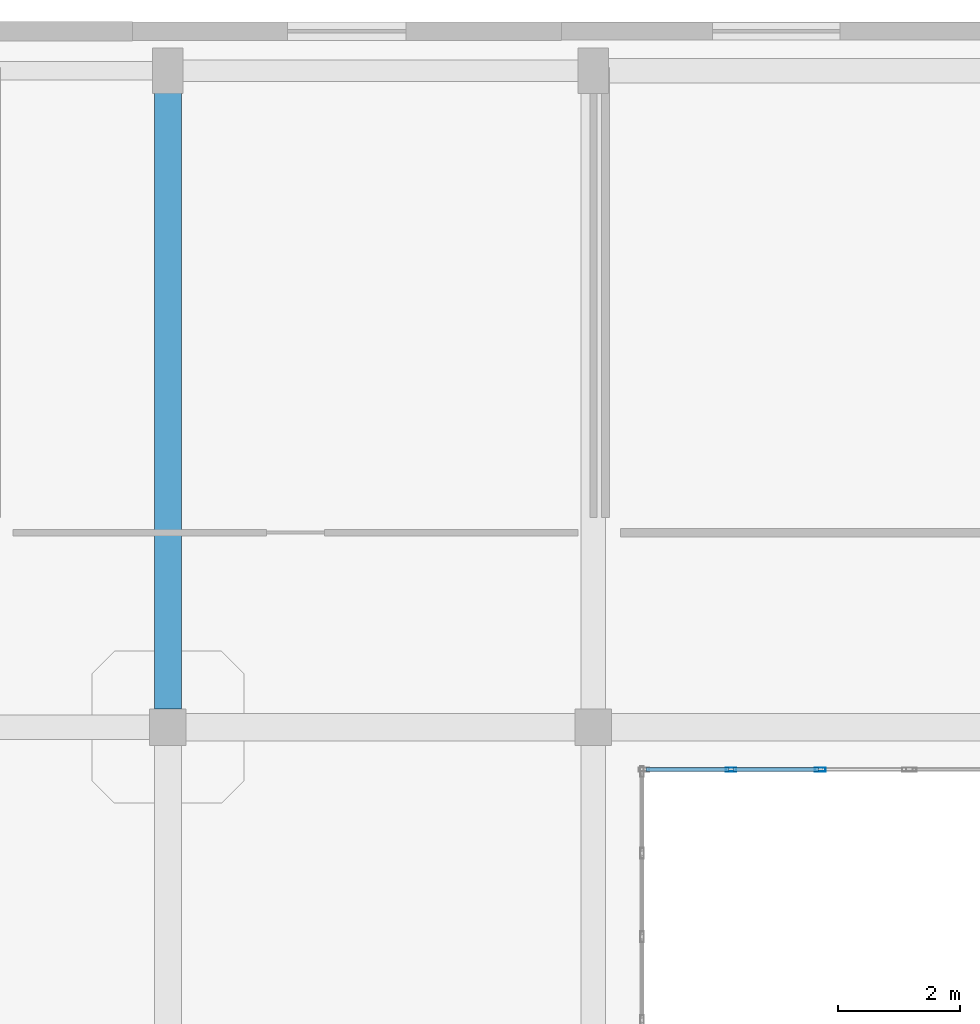
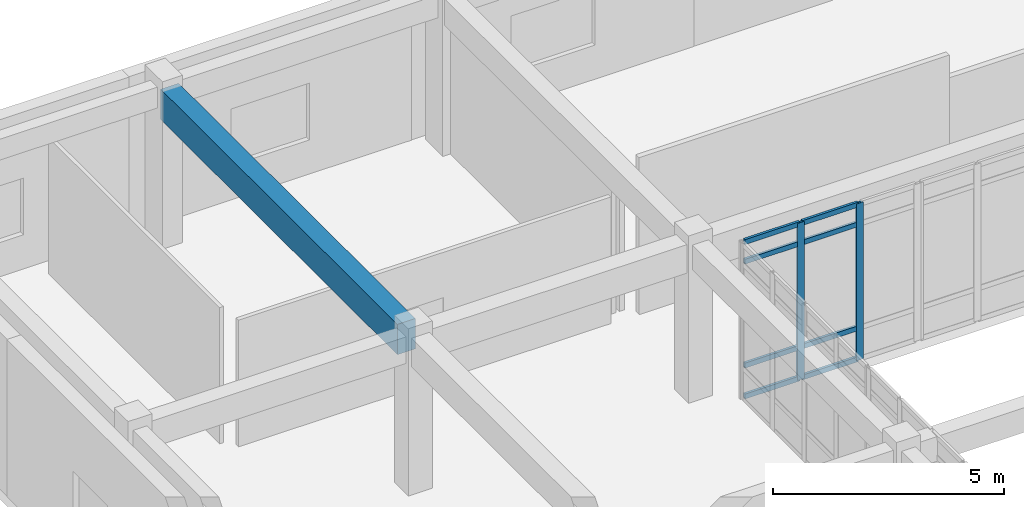
# One storey, part 90 of 142: 10 members, 1 beam, 1 element without a shape of its own.
"""IFC4 building model written with IfcOpenShell, lengths in metres."""

import ifcopenshell
import ifcopenshell.guid

model = None  # the IFC model being written
_history = None  # IfcOwnerHistory: only IFC2X3 demands one
_inside = {}  # id of a spatial element -> (the spatial element, [elements in it])
_under = {}  # id of a project, library or spatial element -> (it, [spatial elements below it])
_declared = {}  # id of a project -> (the project, [libraries it declares])
_typed = {}  # id of a type object -> (the type object, [elements of that type])
_made_of = {}  # id of a material, layer set ... -> (it, [elements and type objects made of it])


def new_model(schema):
    """Start an empty IFC model of exactly this schema.

    Asked for "IFC4X3", IfcOpenShell would pick the latest addendum, in which some entities
    have other attributes; the version numbers below select the first issue.
    IFC2X3 requires an IfcOwnerHistory on every rooted entity: one is made here for all.
    """
    global model, _history
    if schema == "IFC4X3":
        model = ifcopenshell.file(schema_version=(4, 3, 0, 0))
    else:
        model = ifcopenshell.file(schema=schema)
    _inside.clear()
    _under.clear()
    _declared.clear()
    _typed.clear()
    _made_of.clear()
    _history = None
    if model.schema == "IFC2X3":
        org = make("IfcOrganization", Name="unknown")
        user = make(
            "IfcPersonAndOrganization",
            ThePerson=make("IfcPerson", FamilyName="unknown"),
            TheOrganization=org,
        )
        app = make(
            "IfcApplication",
            ApplicationDeveloper=org,
            Version="unknown",
            ApplicationFullName="unknown",
            ApplicationIdentifier="unknown",
        )
        _history = make(
            "IfcOwnerHistory",
            OwningUser=user,
            OwningApplication=app,
            ChangeAction="ADDED",
            CreationDate=0,
        )
    return model


def make(cls, **values):
    """One entity of the class cls with the attributes given. An attribute that is None is left unset."""
    return model.create_entity(
        cls, **{name: value for name, value in values.items() if value is not None}
    )


def rooted(cls, **values):
    """An entity with a GlobalId (a new one), such as an element, a storey or a relation."""
    return make(cls, GlobalId=ifcopenshell.guid.new(), OwnerHistory=_history, **values)


def si_unit(unit_type, name, prefix=None):
    """IfcSIUnit, for example si_unit("LENGTHUNIT", "METRE", prefix="MILLI")."""
    return make("IfcSIUnit", UnitType=unit_type, Prefix=prefix, Name=name)


def assignment(units):
    """IfcUnitAssignment: the units of a project."""
    return None if units is None else make("IfcUnitAssignment", Units=units)


def point(xyz):
    """IfcCartesianPoint."""
    return None if xyz is None else make("IfcCartesianPoint", Coordinates=xyz)


def direction(xyz):
    """IfcDirection."""
    return None if xyz is None else make("IfcDirection", DirectionRatios=xyz)


def frame(location, z_axis=None, x_axis=None):
    """IfcAxis2Placement3D, a coordinate frame: its origin and axes. An axis left out is left unset."""
    return make(
        "IfcAxis2Placement3D",
        Location=point(location),
        Axis=direction(z_axis),
        RefDirection=direction(x_axis),
    )


def frame_2d(location, x_axis=None):
    """IfcAxis2Placement2D, a coordinate frame in the plane: its origin and x axis."""
    return make(
        "IfcAxis2Placement2D", Location=point(location), RefDirection=direction(x_axis)
    )


def origin():
    """The frame at (0, 0, 0) with its axes left unset."""
    return frame((0.0, 0.0, 0.0))


def origin_2d():
    """The frame at (0, 0) in the plane with its x axis left unset."""
    return frame_2d((0.0, 0.0))


def place(relative_to, where):
    """IfcLocalPlacement: puts the frame where relative to a parent placement (None: the world)."""
    return make(
        "IfcLocalPlacement", PlacementRelTo=relative_to, RelativePlacement=where
    )


def context(
    kind, dimensions, precision=None, world=None, true_north=None, identifier=None
):
    """IfcGeometricRepresentationContext, for example the 3D "Model" context."""
    return make(
        "IfcGeometricRepresentationContext",
        ContextIdentifier=identifier,
        ContextType=kind,
        CoordinateSpaceDimension=dimensions,
        Precision=precision,
        WorldCoordinateSystem=world,
        TrueNorth=true_north,
    )


def subcontext(parent, identifier, kind, view, scale=None):
    """IfcGeometricRepresentationSubContext, for example "Body" below "Model"."""
    return make(
        "IfcGeometricRepresentationSubContext",
        ContextIdentifier=identifier,
        ContextType=kind,
        ParentContext=parent,
        TargetScale=scale,
        TargetView=view,
    )


def project(units=None, contexts=None):
    """IfcProject with its units and contexts."""
    return rooted(
        "IfcProject",
        Name="project",
        RepresentationContexts=contexts,
        UnitsInContext=assignment(units),
    )


def spatial(cls, under=None, at=None, **own):
    """A site, building, storey or space (cls), placed at a placement, below another one or the project."""
    s = rooted(cls, ObjectPlacement=at, **own)
    if under is not None:
        _under.setdefault(under.id(), (under, []))[1].append(s)
    return s


def profile(cls, at=None, kind="AREA", **sizes):
    """A parametric profile (cls). Its sizes go by their IFC names, for example OverallWidth=200.0."""
    return make(cls, ProfileType=kind, Position=at, **sizes)


def rectangle(**sizes):
    """IfcRectangleProfileDef."""
    return profile("IfcRectangleProfileDef", **sizes)


def hollow_rectangle(**sizes):
    """IfcRectangleHollowProfileDef."""
    return profile("IfcRectangleHollowProfileDef", **sizes)


def extrude(swept, where, along, depth):
    """IfcExtrudedAreaSolid: the profile swept, set in the frame where, extruded along a direction by depth."""
    return make(
        "IfcExtrudedAreaSolid",
        SweptArea=swept,
        Position=where,
        ExtrudedDirection=direction(along),
        Depth=depth,
    )


def shape(context_of_items, identifier, shape_type, items):
    """IfcShapeRepresentation: the items that make up one representation, for example the "Body"."""
    return make(
        "IfcShapeRepresentation",
        ContextOfItems=context_of_items,
        RepresentationIdentifier=identifier,
        RepresentationType=shape_type,
        Items=items,
    )


def material(Name=None, Category=None):
    """IfcMaterial."""
    return make("IfcMaterial", Name=Name, Category=Category)


def layer(
    of_material, thickness, ventilated=None, Name=None, Category=None, Priority=None
):
    """IfcMaterialLayer: one layer of a wall or slab, of a material (None: an air gap)."""
    return make(
        "IfcMaterialLayer",
        Material=of_material,
        LayerThickness=thickness,
        IsVentilated=ventilated,
        Name=Name,
        Category=Category,
        Priority=Priority,
    )


def layer_set(layers, Name=None):
    """IfcMaterialLayerSet."""
    return make("IfcMaterialLayerSet", MaterialLayers=layers, LayerSetName=Name)


def material_profile(
    of_material, cross_section, Name=None, Category=None, Priority=None
):
    """IfcMaterialProfile: a cross section and its material."""
    return make(
        "IfcMaterialProfile",
        Name=Name,
        Material=of_material,
        Profile=cross_section,
        Priority=Priority,
        Category=Category,
    )


def profile_set(profiles, Name=None, composite=None):
    """IfcMaterialProfileSet."""
    return make(
        "IfcMaterialProfileSet",
        Name=Name,
        MaterialProfiles=profiles,
        CompositeProfile=composite,
    )


def made_of(thing, what):
    """Note that an element or type object is made of a material, layer set ...; save() writes the relation."""
    if what is not None:
        _made_of.setdefault(what.id(), (what, []))[1].append(thing)
    return thing


def type_object(cls, material=None, **own):
    """A type object (cls), such as IfcWallType, which elements share."""
    return made_of(rooted(cls, **own), material)


def element(
    cls,
    number,
    at=None,
    inside=None,
    cuts=None,
    type_object=None,
    material=None,
    context=None,
    identifier="Body",
    shape_type=None,
    held_by="IfcProductDefinitionShape",
    body=None,
    shapes=None,
    **own,
):
    """One element of the class cls, such as IfcWall. Its Tag is "e" and its number.

    at: its placement. inside: the storey or other place that contains it. cuts: it is an
    opening in that element (IfcRelVoidsElement). A single representation is given by context,
    identifier, shape_type and body (its items); several are given by shapes. held_by: the class
    of the entity that holds the representations. save() writes the other relations.
    """
    e = rooted(cls, Tag="e%d" % number, ObjectPlacement=at, **own)
    if body is not None:
        shapes = [shape(context, identifier, shape_type, body)]
    if shapes is not None:
        e.Representation = make(held_by, Representations=shapes)
    if inside is not None:
        _inside.setdefault(inside.id(), (inside, []))[1].append(e)
    if cuts is not None:
        rooted(
            "IfcRelVoidsElement", RelatingBuildingElement=cuts, RelatedOpeningElement=e
        )
    if type_object is not None:
        _typed.setdefault(type_object.id(), (type_object, []))[1].append(e)
    return made_of(e, material)


def aggregate(whole, parts):
    """IfcRelAggregates: a whole, such as a stair, and the parts it consists of."""
    return rooted("IfcRelAggregates", RelatingObject=whole, RelatedObjects=parts)


def save(model, path):
    """Write the relations noted so far, then the file.

    IfcRelAggregates (storeys below a building ...), IfcRelContainedInSpatialStructure (elements
    in a storey), IfcRelDefinesByType, IfcRelAssociatesMaterial and IfcRelDeclares: one each for
    every whole, place, type object, material and project.
    """
    for whole, parts in _under.values():
        aggregate(whole, parts)
    for where, things in _inside.values():
        rooted(
            "IfcRelContainedInSpatialStructure",
            RelatedElements=things,
            RelatingStructure=where,
        )
    for kind, things in _typed.values():
        rooted("IfcRelDefinesByType", RelatedObjects=things, RelatingType=kind)
    for what, things in _made_of.values():
        rooted("IfcRelAssociatesMaterial", RelatedObjects=things, RelatingMaterial=what)
    for by, libraries in _declared.values():
        rooted("IfcRelDeclares", RelatingContext=by, RelatedDefinitions=libraries)
    model.write(path)


model = new_model("IFC4")

# Units and contexts
model_context = context("Model", 3, precision=1e-05, world=origin(), true_north=direction((0.0, 1.0)))
body_context = subcontext(model_context, "Body", "Model", "MODEL_VIEW")
ifc_project = project(units=[si_unit("LENGTHUNIT", "METRE"), si_unit("AREAUNIT", "SQUARE_METRE"), si_unit("VOLUMEUNIT", "CUBIC_METRE"), si_unit("PLANEANGLEUNIT", "RADIAN"), si_unit("MASSUNIT", "GRAM", prefix="KILO")], contexts=[model_context])

# Site, building, storey
site_placement = place(None, origin())
site = spatial("IfcSite", under=ifc_project, at=site_placement, CompositionType="ELEMENT")
building_placement = place(site_placement, origin())
building = spatial("IfcBuilding", under=site, at=building_placement, Name="Valcora Specialist Clinic", CompositionType="ELEMENT")
storey_placement = place(building_placement, frame((0.0, 0.0, 5.10009765625)))
storey = spatial("IfcBuildingStorey", under=building, at=storey_placement, Name="L01", CompositionType="ELEMENT", Elevation=5.10009765625)

# Beam
ifc_material_1 = material(Name="Concrete C40/50", Category="concrete")
ifc_material_profile_1 = material_profile(ifc_material_1, rectangle(XDim=0.449951171875, YDim=0.800048828125, at=origin_2d()), Name="RC-BM-450X800")
ifc_profile_set_1 = profile_set([ifc_material_profile_1], Name="Concrete C40/50")
beam_type = type_object("IfcBeamType", Name="TY-BM-RC450X800", PredefinedType="BEAM", material=ifc_profile_set_1)
beam_placement = place(storey_placement, frame((69.0, 99.5, 3.744873046875), z_axis=(0.0, 1.0, 0.0), x_axis=(-1.0, 0.0, 0.0)))
element("IfcBeam", 1, at=beam_placement, inside=storey, type_object=beam_type, Name="Beam BM-L01-0664", PredefinedType="BEAM", context=body_context, shape_type="SweptSolid", body=[
    extrude(rectangle(XDim=0.449951171875, YDim=0.800048828125, at=origin_2d()), origin(), (0.0, 0.0, 1.0), 10.25),
])

# Curtain wall, members
ifc_material_2 = material(Name="Anodized Bronze Aluminium 6063-T6", Category="aluminium")
ifc_layer = layer(ifc_material_2, 0.175048828125)
ifc_layer_set = layer_set([ifc_layer], Name="Anodized Bronze Aluminium 6063-T6")
curtain_wall_type = type_object("IfcCurtainWallType", Name="TY-CW-CRT15", PredefinedType="NOTDEFINED", material=ifc_layer_set)
curtain_wall_placement = place(storey_placement, origin())
curtain_wall = element("IfcCurtainWall", 2, at=curtain_wall_placement, inside=storey, type_object=curtain_wall_type, Name="Curtain wall CW-L01-069", PredefinedType="NOTDEFINED")
ifc_material_profile_2 = material_profile(ifc_material_2, hollow_rectangle(XDim=0.06494140625, YDim=0.175048828125, WallThickness=0.00390625, at=origin_2d()), Name="AL-MUL-65X175")
ifc_profile_set_2 = profile_set([ifc_material_profile_2], Name="Anodized Bronze Aluminium 6063-T6")
member_type_1 = type_object("IfcMemberType", Name="TY-CWM-65X175", PredefinedType="MULLION", material=ifc_profile_set_2)
member_1_placement = place(storey_placement, frame((79.7333984375, 98.5, 0.0), z_axis=(0.0, 0.0, 1.0), x_axis=(0.0, -1.0, 0.0)))
member_1 = element("IfcMember", 3, at=member_1_placement, type_object=member_type_1, Name="CW-CRT-15 mullion 2", PredefinedType="MULLION", context=body_context, shape_type="SweptSolid", body=[
    extrude(hollow_rectangle(XDim=0.06494140625, YDim=0.175048828125, WallThickness=0.00390625, at=origin_2d()), origin(), (0.0, 0.0, 1.0), 4.14501953125),
])
member_2_placement = place(storey_placement, frame((78.2666015625, 98.5, 0.0), z_axis=(0.0, 0.0, 1.0), x_axis=(0.0, -1.0, 0.0)))
member_2 = element("IfcMember", 4, at=member_2_placement, type_object=member_type_1, Name="CW-CRT-15 mullion 3", PredefinedType="MULLION", context=body_context, shape_type="SweptSolid", body=[
    extrude(hollow_rectangle(XDim=0.06494140625, YDim=0.175048828125, WallThickness=0.00390625, at=origin_2d()), origin(), (0.0, 0.0, 1.0), 4.14501953125),
])
ifc_material_profile_3 = material_profile(ifc_material_2, hollow_rectangle(XDim=0.06494140625, YDim=0.1298828125, WallThickness=0.00390625, at=origin_2d()), Name="AL-TRN-65X130")
ifc_profile_set_3 = profile_set([ifc_material_profile_3], Name="Anodized Bronze Aluminium 6063-T6")
member_type_2 = type_object("IfcMemberType", Name="TY-CWT-65X130", PredefinedType="USERDEFINED", material=ifc_profile_set_3)
member_3_placement = place(storey_placement, frame((79.700927734375, 98.5, 0.032470703125), z_axis=(-1.0, 0.0, 0.0), x_axis=(0.0, -1.0, 0.0)))
member_3 = element("IfcMember", 5, at=member_3_placement, type_object=member_type_2, Name="CW-CRT-15 transom 2.1", ObjectType="TRANSOM", PredefinedType="USERDEFINED", context=body_context, shape_type="SweptSolid", body=[
    extrude(hollow_rectangle(XDim=0.06494140625, YDim=0.1298828125, WallThickness=0.00390625, at=origin_2d()), origin(), (0.0, 0.0, 1.0), 1.40185546875),
])
member_4_placement = place(storey_placement, frame((79.700927734375, 98.5, 0.849853515625), z_axis=(-1.0, 0.0, 0.0), x_axis=(0.0, -1.0, 0.0)))
member_4 = element("IfcMember", 6, at=member_4_placement, type_object=member_type_2, Name="CW-CRT-15 transom 2.2", ObjectType="TRANSOM", PredefinedType="USERDEFINED", context=body_context, shape_type="SweptSolid", body=[
    extrude(hollow_rectangle(XDim=0.06494140625, YDim=0.1298828125, WallThickness=0.00390625, at=origin_2d()), origin(), (0.0, 0.0, 1.0), 1.40185546875),
])
member_5_placement = place(storey_placement, frame((79.700927734375, 98.5, 3.594970703125), z_axis=(-1.0, 0.0, 0.0), x_axis=(0.0, -1.0, 0.0)))
member_5 = element("IfcMember", 7, at=member_5_placement, type_object=member_type_2, Name="CW-CRT-15 transom 2.3", ObjectType="TRANSOM", PredefinedType="USERDEFINED", context=body_context, shape_type="SweptSolid", body=[
    extrude(hollow_rectangle(XDim=0.06494140625, YDim=0.1298828125, WallThickness=0.00390625, at=origin_2d()), origin(), (0.0, 0.0, 1.0), 1.40185546875),
])
member_6_placement = place(storey_placement, frame((79.700927734375, 98.5, 4.1123046875), z_axis=(-1.0, 0.0, 0.0), x_axis=(0.0, -1.0, 0.0)))
member_6 = element("IfcMember", 8, at=member_6_placement, type_object=member_type_2, Name="CW-CRT-15 transom 2.4", ObjectType="TRANSOM", PredefinedType="USERDEFINED", context=body_context, shape_type="SweptSolid", body=[
    extrude(hollow_rectangle(XDim=0.06494140625, YDim=0.1298828125, WallThickness=0.00390625, at=origin_2d()), origin(), (0.0, 0.0, 1.0), 1.40185546875),
])
member_7_placement = place(storey_placement, frame((78.234130859375, 98.5, 0.032470703125), z_axis=(-1.0, 0.0, 0.0), x_axis=(0.0, -1.0, 0.0)))
member_7 = element("IfcMember", 9, at=member_7_placement, type_object=member_type_2, Name="CW-CRT-15 transom 3.1", ObjectType="TRANSOM", PredefinedType="USERDEFINED", context=body_context, shape_type="SweptSolid", body=[
    extrude(hollow_rectangle(XDim=0.06494140625, YDim=0.1298828125, WallThickness=0.00390625, at=origin_2d()), origin(), (0.0, 0.0, 1.0), 1.369140625),
])
member_8_placement = place(storey_placement, frame((78.234130859375, 98.5, 0.849853515625), z_axis=(-1.0, 0.0, 0.0), x_axis=(0.0, -1.0, 0.0)))
member_8 = element("IfcMember", 10, at=member_8_placement, type_object=member_type_2, Name="CW-CRT-15 transom 3.2", ObjectType="TRANSOM", PredefinedType="USERDEFINED", context=body_context, shape_type="SweptSolid", body=[
    extrude(hollow_rectangle(XDim=0.06494140625, YDim=0.1298828125, WallThickness=0.00390625, at=origin_2d()), origin(), (0.0, 0.0, 1.0), 1.369140625),
])
member_9_placement = place(storey_placement, frame((78.234130859375, 98.5, 3.594970703125), z_axis=(-1.0, 0.0, 0.0), x_axis=(0.0, -1.0, 0.0)))
member_9 = element("IfcMember", 11, at=member_9_placement, type_object=member_type_2, Name="CW-CRT-15 transom 3.3", ObjectType="TRANSOM", PredefinedType="USERDEFINED", context=body_context, shape_type="SweptSolid", body=[
    extrude(hollow_rectangle(XDim=0.06494140625, YDim=0.1298828125, WallThickness=0.00390625, at=origin_2d()), origin(), (0.0, 0.0, 1.0), 1.369140625),
])
member_10_placement = place(storey_placement, frame((78.234130859375, 98.5, 4.1123046875), z_axis=(-1.0, 0.0, 0.0), x_axis=(0.0, -1.0, 0.0)))
member_10 = element("IfcMember", 12, at=member_10_placement, type_object=member_type_2, Name="CW-CRT-15 transom 3.4", ObjectType="TRANSOM", PredefinedType="USERDEFINED", context=body_context, shape_type="SweptSolid", body=[
    extrude(hollow_rectangle(XDim=0.06494140625, YDim=0.1298828125, WallThickness=0.00390625, at=origin_2d()), origin(), (0.0, 0.0, 1.0), 1.369140625),
])
aggregate(curtain_wall, [member_1, member_2, member_3, member_4, member_5, member_6, member_7, member_8, member_9, member_10])

save(model, "model.ifc")
